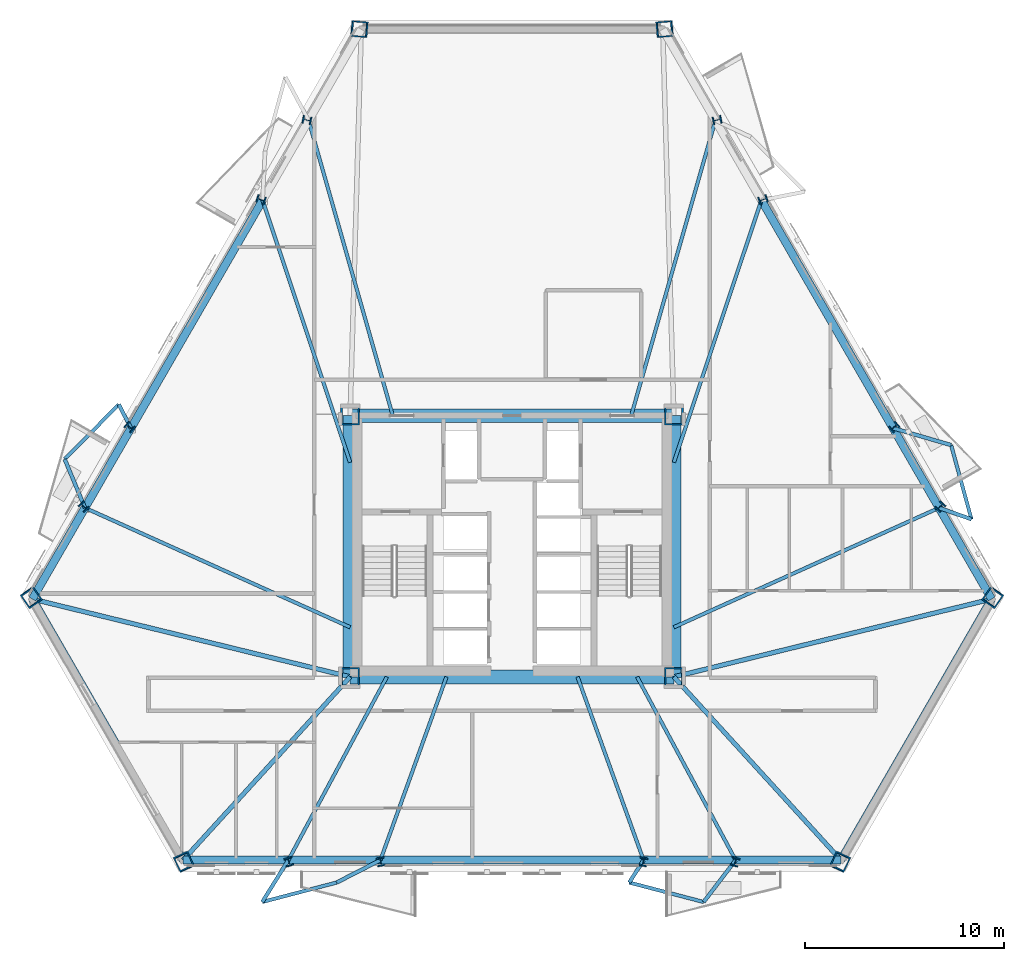
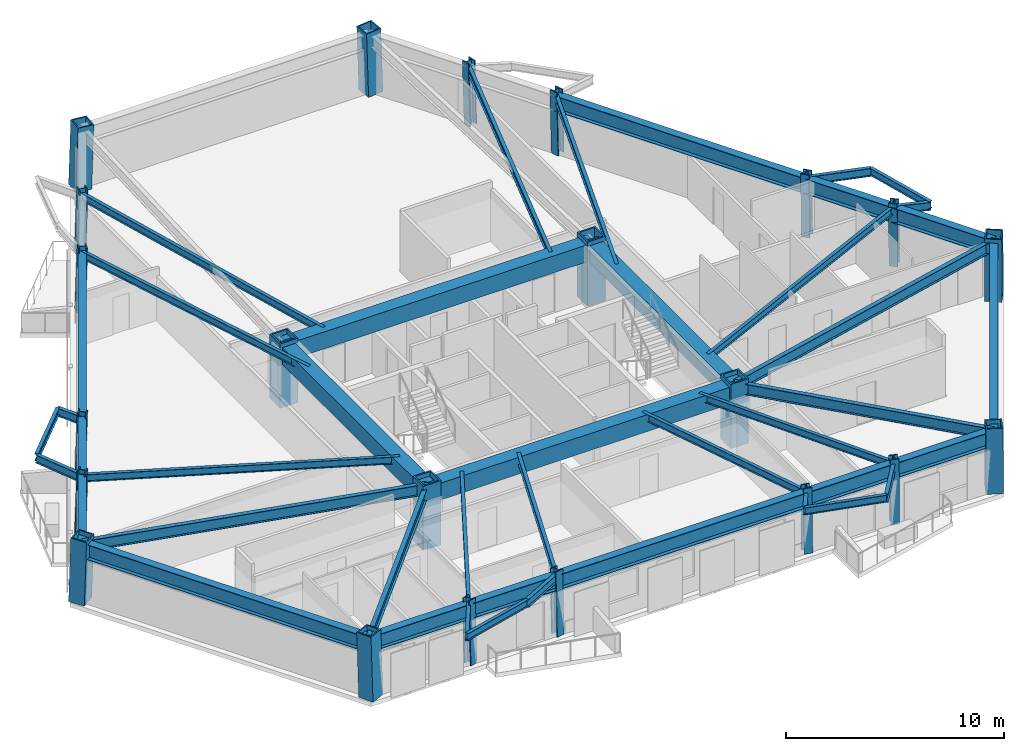
# One storey, part 1 of 13: 43 beams, 22 columns.
"""IFC4 building model written with IfcOpenShell, lengths in metres."""

import ifcopenshell
import ifcopenshell.guid

model = None  # the IFC model being written
_history = None  # IfcOwnerHistory: only IFC2X3 demands one
_inside = {}  # id of a spatial element -> (the spatial element, [elements in it])
_under = {}  # id of a project, library or spatial element -> (it, [spatial elements below it])
_declared = {}  # id of a project -> (the project, [libraries it declares])
_typed = {}  # id of a type object -> (the type object, [elements of that type])
_made_of = {}  # id of a material, layer set ... -> (it, [elements and type objects made of it])


def new_model(schema):
    """Start an empty IFC model of exactly this schema.

    Asked for "IFC4X3", IfcOpenShell would pick the latest addendum, in which some entities
    have other attributes; the version numbers below select the first issue.
    IFC2X3 requires an IfcOwnerHistory on every rooted entity: one is made here for all.
    """
    global model, _history
    if schema == "IFC4X3":
        model = ifcopenshell.file(schema_version=(4, 3, 0, 0))
    else:
        model = ifcopenshell.file(schema=schema)
    _inside.clear()
    _under.clear()
    _declared.clear()
    _typed.clear()
    _made_of.clear()
    _history = None
    if model.schema == "IFC2X3":
        org = make("IfcOrganization", Name="unknown")
        user = make(
            "IfcPersonAndOrganization",
            ThePerson=make("IfcPerson", FamilyName="unknown"),
            TheOrganization=org,
        )
        app = make(
            "IfcApplication",
            ApplicationDeveloper=org,
            Version="unknown",
            ApplicationFullName="unknown",
            ApplicationIdentifier="unknown",
        )
        _history = make(
            "IfcOwnerHistory",
            OwningUser=user,
            OwningApplication=app,
            ChangeAction="ADDED",
            CreationDate=0,
        )
    return model


def make(cls, **values):
    """One entity of the class cls with the attributes given. An attribute that is None is left unset."""
    return model.create_entity(
        cls, **{name: value for name, value in values.items() if value is not None}
    )


def rooted(cls, **values):
    """An entity with a GlobalId (a new one), such as an element, a storey or a relation."""
    return make(cls, GlobalId=ifcopenshell.guid.new(), OwnerHistory=_history, **values)


def si_unit(unit_type, name, prefix=None):
    """IfcSIUnit, for example si_unit("LENGTHUNIT", "METRE", prefix="MILLI")."""
    return make("IfcSIUnit", UnitType=unit_type, Prefix=prefix, Name=name)


def assignment(units):
    """IfcUnitAssignment: the units of a project."""
    return None if units is None else make("IfcUnitAssignment", Units=units)


def point(xyz):
    """IfcCartesianPoint."""
    return None if xyz is None else make("IfcCartesianPoint", Coordinates=xyz)


def direction(xyz):
    """IfcDirection."""
    return None if xyz is None else make("IfcDirection", DirectionRatios=xyz)


def frame(location, z_axis=None, x_axis=None):
    """IfcAxis2Placement3D, a coordinate frame: its origin and axes. An axis left out is left unset."""
    return make(
        "IfcAxis2Placement3D",
        Location=point(location),
        Axis=direction(z_axis),
        RefDirection=direction(x_axis),
    )


def frame_2d(location, x_axis=None):
    """IfcAxis2Placement2D, a coordinate frame in the plane: its origin and x axis."""
    return make(
        "IfcAxis2Placement2D", Location=point(location), RefDirection=direction(x_axis)
    )


def origin():
    """The frame at (0, 0, 0) with its axes left unset."""
    return frame((0.0, 0.0, 0.0))


def origin_2d():
    """The frame at (0, 0) in the plane with its x axis left unset."""
    return frame_2d((0.0, 0.0))


def place(relative_to, where):
    """IfcLocalPlacement: puts the frame where relative to a parent placement (None: the world)."""
    return make(
        "IfcLocalPlacement", PlacementRelTo=relative_to, RelativePlacement=where
    )


def context(
    kind, dimensions, precision=None, world=None, true_north=None, identifier=None
):
    """IfcGeometricRepresentationContext, for example the 3D "Model" context."""
    return make(
        "IfcGeometricRepresentationContext",
        ContextIdentifier=identifier,
        ContextType=kind,
        CoordinateSpaceDimension=dimensions,
        Precision=precision,
        WorldCoordinateSystem=world,
        TrueNorth=true_north,
    )


def subcontext(parent, identifier, kind, view, scale=None):
    """IfcGeometricRepresentationSubContext, for example "Body" below "Model"."""
    return make(
        "IfcGeometricRepresentationSubContext",
        ContextIdentifier=identifier,
        ContextType=kind,
        ParentContext=parent,
        TargetScale=scale,
        TargetView=view,
    )


def project(units=None, contexts=None):
    """IfcProject with its units and contexts."""
    return rooted(
        "IfcProject",
        Name="project",
        RepresentationContexts=contexts,
        UnitsInContext=assignment(units),
    )


def spatial(cls, under=None, at=None, **own):
    """A site, building, storey or space (cls), placed at a placement, below another one or the project."""
    s = rooted(cls, ObjectPlacement=at, **own)
    if under is not None:
        _under.setdefault(under.id(), (under, []))[1].append(s)
    return s


def profile(cls, at=None, kind="AREA", **sizes):
    """A parametric profile (cls). Its sizes go by their IFC names, for example OverallWidth=200.0."""
    return make(cls, ProfileType=kind, Position=at, **sizes)


def rectangle(**sizes):
    """IfcRectangleProfileDef."""
    return profile("IfcRectangleProfileDef", **sizes)


def hollow_rectangle(**sizes):
    """IfcRectangleHollowProfileDef."""
    return profile("IfcRectangleHollowProfileDef", **sizes)


def i_section(**sizes):
    """IfcIShapeProfileDef."""
    return profile("IfcIShapeProfileDef", **sizes)


def extrude(swept, where, along, depth):
    """IfcExtrudedAreaSolid: the profile swept, set in the frame where, extruded along a direction by depth."""
    return make(
        "IfcExtrudedAreaSolid",
        SweptArea=swept,
        Position=where,
        ExtrudedDirection=direction(along),
        Depth=depth,
    )


def shape(context_of_items, identifier, shape_type, items):
    """IfcShapeRepresentation: the items that make up one representation, for example the "Body"."""
    return make(
        "IfcShapeRepresentation",
        ContextOfItems=context_of_items,
        RepresentationIdentifier=identifier,
        RepresentationType=shape_type,
        Items=items,
    )


def material(Name=None, Category=None):
    """IfcMaterial."""
    return make("IfcMaterial", Name=Name, Category=Category)


def material_profile(
    of_material, cross_section, Name=None, Category=None, Priority=None
):
    """IfcMaterialProfile: a cross section and its material."""
    return make(
        "IfcMaterialProfile",
        Name=Name,
        Material=of_material,
        Profile=cross_section,
        Priority=Priority,
        Category=Category,
    )


def profile_set(profiles, Name=None, composite=None):
    """IfcMaterialProfileSet."""
    return make(
        "IfcMaterialProfileSet",
        Name=Name,
        MaterialProfiles=profiles,
        CompositeProfile=composite,
    )


def made_of(thing, what):
    """Note that an element or type object is made of a material, layer set ...; save() writes the relation."""
    if what is not None:
        _made_of.setdefault(what.id(), (what, []))[1].append(thing)
    return thing


def type_object(cls, material=None, **own):
    """A type object (cls), such as IfcWallType, which elements share."""
    return made_of(rooted(cls, **own), material)


def element(
    cls,
    number,
    at=None,
    inside=None,
    cuts=None,
    type_object=None,
    material=None,
    context=None,
    identifier="Body",
    shape_type=None,
    held_by="IfcProductDefinitionShape",
    body=None,
    shapes=None,
    **own,
):
    """One element of the class cls, such as IfcWall. Its Tag is "e" and its number.

    at: its placement. inside: the storey or other place that contains it. cuts: it is an
    opening in that element (IfcRelVoidsElement). A single representation is given by context,
    identifier, shape_type and body (its items); several are given by shapes. held_by: the class
    of the entity that holds the representations. save() writes the other relations.
    """
    e = rooted(cls, Tag="e%d" % number, ObjectPlacement=at, **own)
    if body is not None:
        shapes = [shape(context, identifier, shape_type, body)]
    if shapes is not None:
        e.Representation = make(held_by, Representations=shapes)
    if inside is not None:
        _inside.setdefault(inside.id(), (inside, []))[1].append(e)
    if cuts is not None:
        rooted(
            "IfcRelVoidsElement", RelatingBuildingElement=cuts, RelatedOpeningElement=e
        )
    if type_object is not None:
        _typed.setdefault(type_object.id(), (type_object, []))[1].append(e)
    return made_of(e, material)


def aggregate(whole, parts):
    """IfcRelAggregates: a whole, such as a stair, and the parts it consists of."""
    return rooted("IfcRelAggregates", RelatingObject=whole, RelatedObjects=parts)


def save(model, path):
    """Write the relations noted so far, then the file.

    IfcRelAggregates (storeys below a building ...), IfcRelContainedInSpatialStructure (elements
    in a storey), IfcRelDefinesByType, IfcRelAssociatesMaterial and IfcRelDeclares: one each for
    every whole, place, type object, material and project.
    """
    for whole, parts in _under.values():
        aggregate(whole, parts)
    for where, things in _inside.values():
        rooted(
            "IfcRelContainedInSpatialStructure",
            RelatedElements=things,
            RelatingStructure=where,
        )
    for kind, things in _typed.values():
        rooted("IfcRelDefinesByType", RelatedObjects=things, RelatingType=kind)
    for what, things in _made_of.values():
        rooted("IfcRelAssociatesMaterial", RelatedObjects=things, RelatingMaterial=what)
    for by, libraries in _declared.values():
        rooted("IfcRelDeclares", RelatingContext=by, RelatedDefinitions=libraries)
    model.write(path)


model = new_model("IFC4")

# Units and contexts
model_context = context("Model", 3, precision=1e-05, world=origin(), true_north=direction((0.0, 1.0)))
body_context = subcontext(model_context, "Body", "Model", "MODEL_VIEW")
ifc_project = project(units=[si_unit("LENGTHUNIT", "METRE"), si_unit("AREAUNIT", "SQUARE_METRE"), si_unit("VOLUMEUNIT", "CUBIC_METRE"), si_unit("PLANEANGLEUNIT", "RADIAN"), si_unit("MASSUNIT", "GRAM", prefix="KILO")], contexts=[model_context])

# Site, building, storey
site_placement = place(None, origin())
site = spatial("IfcSite", under=ifc_project, at=site_placement, CompositionType="ELEMENT")
building_placement = place(site_placement, origin())
building = spatial("IfcBuilding", under=site, at=building_placement, Name="Oramaril Tower", CompositionType="ELEMENT")
storey_placement = place(building_placement, frame((0.0, 0.0, 38.10009765625)))
storey = spatial("IfcBuildingStorey", under=building, at=storey_placement, Name="L09", CompositionType="ELEMENT", Elevation=38.10009765625)

# Columns
ifc_material_1 = material(Name="Steel ASTM A572 Gr 50", Category="steel")
ifc_material_profile_1 = material_profile(ifc_material_1, hollow_rectangle(XDim=0.949951171875, YDim=0.949951171875, WallThickness=0.080078125, at=origin_2d()), Name="BOX950X950X80")
ifc_profile_set_1 = profile_set([ifc_material_profile_1], Name="Steel ASTM A572 Gr 50")
column_type_1 = type_object("IfcColumnType", Name="CT-CC2", PredefinedType="COLUMN", material=ifc_profile_set_1)
for number, where, z_axis, x_axis, name in (
    (1, (29.35009765625, 11.0, 0.0), (0.0, 0.0, 1.0), (1.0, 0.0, 0.0), "L09 Core Column CC-1"),
    (2, (45.64990234375, 11.0, 0.0), (0.0, 0.0, 1.0), (1.0, 0.0, 0.0), "L09 Core Column CC-2"),
    (3, (45.64990234375, 24.14990234375, 0.0), (0.0, 0.0, 1.0), (1.0, 0.0, 0.0), "L09 Core Column CC-3"),
    (4, (29.35009765625, 24.14990234375, 0.0), (0.0, 0.0, 1.0), (1.0, 0.0, 0.0), "L09 Core Column CC-4"),
):
    element("IfcColumn", number, at=place(storey_placement, frame(where, z_axis=z_axis, x_axis=x_axis)), inside=storey, type_object=column_type_1, Name=name, PredefinedType="COLUMN", context=body_context, shape_type="SweptSolid", body=[
        extrude(hollow_rectangle(XDim=0.949951171875, YDim=0.949951171875, WallThickness=0.080078125, at=origin_2d()), origin(), (0.0, 0.0, 1.0), 3.599853515625),
    ])
ifc_material_2 = material(Name="Steel ASTM A572 Gr 50", Category="steel")
ifc_material_profile_2 = material_profile(ifc_material_2, hollow_rectangle(XDim=0.800048828125, YDim=0.800048828125, WallThickness=0.06494140625, at=origin_2d()), Name="BOX800X800X65")
ifc_profile_set_2 = profile_set([ifc_material_profile_2], Name="Steel ASTM A572 Gr 50")
column_type_2 = type_object("IfcColumnType", Name="CT-TC3", PredefinedType="COLUMN", material=ifc_profile_set_2)
for number, where, z_axis, x_axis, name in (
    (5, (13.287109375, 15.01416015625, 0.00439453125), (0.017939289639, -0.025889656638, 0.999503830691), (0.821959126475, 0.569546481337, 0.0), "L09 Tube Column TC-01"),
    (6, (20.989013671875, 1.673828125, 0.00439453125), (-0.013454444026, 0.028539729751, 0.999502106932), (-0.904525642996, -0.426419231698, 0.0), "L09 Tube Column TC-02"),
    (7, (54.010986328125, 1.673828125, 0.00439453125), (0.013454444026, 0.028539729751, 0.999502106932), (-0.904525642996, 0.426419231698, 0.0), "L09 Tube Column TC-03"),
    (8, (61.712890625, 15.01416015625, 0.00439453125), (-0.017939289639, -0.025889656638, 0.999503830691), (0.821959126475, -0.569546481337, 0.0), "L09 Tube Column TC-04"),
    (9, (45.2021484375, 43.61181640625, 0.00439453125), (-0.031461639283, -0.002582164779, 0.99950162465), (0.081798397523, -0.996648896133, 0.0), "L09 Tube Column TC-05"),
    (10, (29.7978515625, 43.61181640625, 0.00439453125), (0.031461639283, -0.002582164779, 0.99950162465), (0.081798397523, 0.996648896133, 0.0), "L09 Tube Column TC-06"),
):
    element("IfcColumn", number, at=place(storey_placement, frame(where, z_axis=z_axis, x_axis=x_axis)), inside=storey, type_object=column_type_2, Name=name, PredefinedType="COLUMN", context=body_context, shape_type="SweptSolid", body=[
        extrude(hollow_rectangle(XDim=0.800048828125, YDim=0.800048828125, WallThickness=0.06494140625, at=origin_2d()), origin(), (0.0, 0.0, 1.0), 3.5927734375),
    ])
ifc_material_3 = material(Name="Steel ASTM A572 Gr 50", Category="steel")
ifc_material_profile_3 = material_profile(ifc_material_3, i_section(OverallWidth=0.410888671875, OverallDepth=0.43408203125, WebThickness=0.035888671875, FlangeThickness=0.057373046875, at=origin_2d()), Name="W14X311")
ifc_profile_set_3 = profile_set([ifc_material_profile_3], Name="Steel ASTM A572 Gr 50")
column_type_3 = type_object("IfcColumnType", Name="CT-TF2", PredefinedType="COLUMN", material=ifc_profile_set_3)
column_1_placement = place(storey_placement, frame((26.272705078125, 1.673828125, 0.00439453125), z_axis=(-0.009173928909, 0.028541112163, 0.999550520957), x_axis=(-0.952028561285, -0.306009180413, 0.0)))
element("IfcColumn", 11, at=column_1_placement, inside=storey, type_object=column_type_3, Name="L09 Tube Column TC-07", PredefinedType="COLUMN", context=body_context, shape_type="SweptSolid", body=[
    extrude(i_section(OverallWidth=0.410888671875, OverallDepth=0.43408203125, WebThickness=0.035888671875, FlangeThickness=0.057373046875, at=origin_2d()), origin(), (0.0, 0.0, 1.0), 3.5927734375),
])
for number, where, z_axis, x_axis, name in (
    (12, (30.8955078125, 1.673828125, 0.00439453125), (-0.005368595841, 0.028541901939, 0.99957818004), (-0.98276606587, -0.184853617152, 0.0), "L09 Tube Column TC-08"),
    (13, (44.1044921875, 1.673828125, 0.00439453125), (0.005368595841, 0.028541901939, 0.99957818004), (-0.98276606587, 0.184853617152, 0.0), "L09 Tube Column TC-09"),
):
    element("IfcColumn", number, at=place(storey_placement, frame(where, z_axis=z_axis, x_axis=x_axis)), inside=storey, type_object=column_type_3, Name=name, PredefinedType="COLUMN", context=body_context, shape_type="SweptSolid", body=[
        extrude(i_section(OverallWidth=0.410888671875, OverallDepth=0.43408203125, WebThickness=0.035888671875, FlangeThickness=0.057373046875, at=origin_2d()), origin(), (0.0, 0.0, 1.0), 3.592529296875),
    ])
for number, where, z_axis, x_axis, name in (
    (14, (48.727294921875, 1.673828125, 0.00439453125), (0.009173928909, 0.028541112163, 0.999550520957), (-0.952028561285, 0.306009180413, 0.0), "L09 Tube Column TC-10"),
    (15, (59.0712890625, 19.58984375, 0.00439453125), (-0.020182619695, -0.022221268149, 0.999549337003), (0.740247292999, -0.672334697311, 0.0), "L09 Tube Column TC-11"),
):
    element("IfcColumn", number, at=place(storey_placement, frame(where, z_axis=z_axis, x_axis=x_axis)), inside=storey, type_object=column_type_3, Name=name, PredefinedType="COLUMN", context=body_context, shape_type="SweptSolid", body=[
        extrude(i_section(OverallWidth=0.410888671875, OverallDepth=0.43408203125, WebThickness=0.035888671875, FlangeThickness=0.057373046875, at=origin_2d()), origin(), (0.0, 0.0, 1.0), 3.5927734375),
    ])
for number, where, z_axis, x_axis, name in (
    (16, (56.759765625, 23.593505859375, 0.00439453125), (-0.02201802969, -0.018959970011, 0.999577773815), (0.65252313536, -0.757768802353, 0.0), "L09 Tube Column TC-12"),
    (17, (50.1552734375, 35.03271484375, 0.00439453125), (-0.027386638779, -0.009649882647, 0.999578336991), (0.332330398603, -0.943163032654, 0.0), "L09 Tube Column TC-13"),
):
    element("IfcColumn", number, at=place(storey_placement, frame(where, z_axis=z_axis, x_axis=x_axis)), inside=storey, type_object=column_type_3, Name=name, PredefinedType="COLUMN", context=body_context, shape_type="SweptSolid", body=[
        extrude(i_section(OverallWidth=0.410888671875, OverallDepth=0.43408203125, WebThickness=0.035888671875, FlangeThickness=0.057373046875, at=origin_2d()), origin(), (0.0, 0.0, 1.0), 3.592529296875),
    ])
for number, where, z_axis, x_axis, name in (
    (18, (47.84375, 39.036376953125, 0.00439453125), (-0.029288632021, -0.00631982083, 0.999551017157), (0.210922858505, -0.977502709848, 0.0), "L09 Tube Column TC-14"),
    (19, (27.15625, 39.036376953125, 0.00439453125), (0.029288632021, -0.00631982083, 0.999551017157), (0.210922858505, 0.977502709848, 0.0), "L09 Tube Column TC-15"),
):
    element("IfcColumn", number, at=place(storey_placement, frame(where, z_axis=z_axis, x_axis=x_axis)), inside=storey, type_object=column_type_3, Name=name, PredefinedType="COLUMN", context=body_context, shape_type="SweptSolid", body=[
        extrude(i_section(OverallWidth=0.410888671875, OverallDepth=0.43408203125, WebThickness=0.035888671875, FlangeThickness=0.057373046875, at=origin_2d()), origin(), (0.0, 0.0, 1.0), 3.5927734375),
    ])
for number, where, z_axis, x_axis, name in (
    (20, (24.8447265625, 35.03271484375, 0.00439453125), (0.027386656676, -0.009581931988, 0.999578990183), (0.330246094386, 0.943894865514, 0.0), "L09 Tube Column TC-16"),
    (21, (18.240234375, 23.593505859375, 0.00439453125), (0.022018058009, -0.018892037427, 0.999579059426), (0.651177090509, 0.758925817716, 0.0), "L09 Tube Column TC-17"),
):
    element("IfcColumn", number, at=place(storey_placement, frame(where, z_axis=z_axis, x_axis=x_axis)), inside=storey, type_object=column_type_3, Name=name, PredefinedType="COLUMN", context=body_context, shape_type="SweptSolid", body=[
        extrude(i_section(OverallWidth=0.410888671875, OverallDepth=0.43408203125, WebThickness=0.035888671875, FlangeThickness=0.057373046875, at=origin_2d()), origin(), (0.0, 0.0, 1.0), 3.592529296875),
    ])
column_2_placement = place(storey_placement, frame((15.9287109375, 19.58984375, 0.00439453125), z_axis=(0.020182619695, -0.022221268149, 0.999549337003), x_axis=(0.740247292999, 0.672334697311, 0.0)))
element("IfcColumn", 22, at=column_2_placement, inside=storey, type_object=column_type_3, Name="L09 Tube Column TC-18", PredefinedType="COLUMN", context=body_context, shape_type="SweptSolid", body=[
    extrude(i_section(OverallWidth=0.410888671875, OverallDepth=0.43408203125, WebThickness=0.035888671875, FlangeThickness=0.057373046875, at=origin_2d()), origin(), (0.0, 0.0, 1.0), 3.5927734375),
])

# Beams
ifc_material_4 = material(Name="Steel ASTM A572 Gr 50", Category="steel")
ifc_material_profile_4 = material_profile(ifc_material_4, i_section(OverallWidth=0.19091796875, OverallDepth=0.45703125, WebThickness=0.009033203125, FlangeThickness=0.014404296875, at=origin_2d()), Name="W18X50")
ifc_profile_set_4 = profile_set([ifc_material_profile_4], Name="Steel ASTM A572 Gr 50")
beam_type_1 = type_object("IfcBeamType", Name="BT-BB1", PredefinedType="BEAM", material=ifc_profile_set_4)
beam_1_placement = place(storey_placement, frame((26.23974609375, 1.7763671875, 3.13134765625), z_axis=(-0.528309762713, -0.84905170315, 0.0), x_axis=(0.84905170315, -0.528309762713, 0.0)))
element("IfcBeam", 23, at=beam_1_placement, inside=storey, type_object=beam_type_1, Name="L09 Balcony Column-Framed Cantilever 01.1", PredefinedType="BEAM", context=body_context, shape_type="SweptSolid", body=[
    extrude(i_section(OverallWidth=0.19091796875, OverallDepth=0.45703125, WebThickness=0.009033203125, FlangeThickness=0.014404296875, at=origin_2d()), origin(), (0.0, 0.0, 1.0), 2.48291015625),
])
beam_2_placement = place(storey_placement, frame((30.876220703125, 1.7763671875, 3.13134765625), z_axis=(-0.890167256623, -0.455633904836, 0.0), x_axis=(0.455633904836, -0.890167256623, 0.0)))
element("IfcBeam", 24, at=beam_2_placement, inside=storey, type_object=beam_type_1, Name="L09 Balcony Column-Framed Cantilever 01.2", PredefinedType="BEAM", context=body_context, shape_type="SweptSolid", body=[
    extrude(i_section(OverallWidth=0.19091796875, OverallDepth=0.45703125, WebThickness=0.009033203125, FlangeThickness=0.014404296875, at=origin_2d()), origin(), (0.0, 0.0, 1.0), 2.47607421875),
])
beam_3_placement = place(storey_placement, frame((44.123779296875, 1.7763671875, 3.13134765625), z_axis=(-0.538479200006, -0.842638802312, 0.0), x_axis=(0.842638802312, -0.538479200006, 0.0)))
element("IfcBeam", 25, at=beam_3_placement, inside=storey, type_object=beam_type_1, Name="L09 Balcony Column-Framed Cantilever 02.1", PredefinedType="BEAM", context=body_context, shape_type="SweptSolid", body=[
    extrude(i_section(OverallWidth=0.19091796875, OverallDepth=0.45703125, WebThickness=0.009033203125, FlangeThickness=0.014404296875, at=origin_2d()), origin(), (0.0, 0.0, 1.0), 1.3388671875),
])
beam_4_placement = place(storey_placement, frame((48.76025390625, 1.7763671875, 3.13134765625), z_axis=(-0.607726578106, -0.794146338066, 0.0), x_axis=(0.794146338066, -0.607726578106, 0.0)))
element("IfcBeam", 26, at=beam_4_placement, inside=storey, type_object=beam_type_1, Name="L09 Balcony Column-Framed Cantilever 02.2", PredefinedType="BEAM", context=body_context, shape_type="SweptSolid", body=[
    extrude(i_section(OverallWidth=0.19091796875, OverallDepth=0.45703125, WebThickness=0.009033203125, FlangeThickness=0.014404296875, at=origin_2d()), origin(), (0.0, 0.0, 1.0), 2.654541015625),
])
beam_5_placement = place(storey_placement, frame((58.998779296875, 19.510009765625, 3.13134765625), z_axis=(0.943805542452, -0.330501282958, 0.0), x_axis=(0.330501282958, 0.943805542452, 0.0)))
element("IfcBeam", 27, at=beam_5_placement, inside=storey, type_object=beam_type_1, Name="L09 Balcony Column-Framed Cantilever 03.1", PredefinedType="BEAM", context=body_context, shape_type="SweptSolid", body=[
    extrude(i_section(OverallWidth=0.19091796875, OverallDepth=0.45703125, WebThickness=0.009033203125, FlangeThickness=0.014404296875, at=origin_2d()), origin(), (0.0, 0.0, 1.0), 1.72998046875),
])
beam_6_placement = place(storey_placement, frame((56.6806640625, 23.525390625, 3.13134765625), z_axis=(0.959928246048, -0.280245896382, 0.0), x_axis=(0.280245896382, 0.959928246048, 0.0)))
element("IfcBeam", 28, at=beam_6_placement, inside=storey, type_object=beam_type_1, Name="L09 Balcony Column-Framed Cantilever 03.2", PredefinedType="BEAM", context=body_context, shape_type="SweptSolid", body=[
    extrude(i_section(OverallWidth=0.19091796875, OverallDepth=0.45703125, WebThickness=0.009033203125, FlangeThickness=0.014404296875, at=origin_2d()), origin(), (0.0, 0.0, 1.0), 3.050048828125),
])
beam_7_placement = place(storey_placement, frame((18.3193359375, 23.525634765625, 3.13134765625), z_axis=(-0.460514125503, 0.887652375771, 0.0), x_axis=(-0.887652375771, -0.460514125503, 0.0)))
element("IfcBeam", 29, at=beam_7_placement, inside=storey, type_object=beam_type_1, Name="L09 Balcony Column-Framed Cantilever 06.1", PredefinedType="BEAM", context=body_context, shape_type="SweptSolid", body=[
    extrude(i_section(OverallWidth=0.19091796875, OverallDepth=0.45703125, WebThickness=0.009033203125, FlangeThickness=0.014404296875, at=origin_2d()), origin(), (0.0, 0.0, 1.0), 1.338623046875),
])
beam_8_placement = place(storey_placement, frame((16.001220703125, 19.510009765625, 3.13134765625), z_axis=(-0.38385125716, 0.923394938462, 0.0), x_axis=(-0.923394938462, -0.38385125716, 0.0)))
element("IfcBeam", 30, at=beam_8_placement, inside=storey, type_object=beam_type_1, Name="L09 Balcony Column-Framed Cantilever 06.2", PredefinedType="BEAM", context=body_context, shape_type="SweptSolid", body=[
    extrude(i_section(OverallWidth=0.19091796875, OverallDepth=0.45703125, WebThickness=0.009033203125, FlangeThickness=0.014404296875, at=origin_2d()), origin(), (0.0, 0.0, 1.0), 2.65478515625),
])
ifc_material_5 = material(Name="Concrete C50/60", Category="concrete")
ifc_material_profile_5 = material_profile(ifc_material_5, rectangle(XDim=0.699951171875, YDim=0.949951171875, at=origin_2d()), Name="CB700X950")
ifc_profile_set_5 = profile_set([ifc_material_profile_5], Name="Concrete C50/60")
beam_type_2 = type_object("IfcBeamType", Name="BT-CB1", PredefinedType="BEAM", material=ifc_profile_set_5)
beam_9_placement = place(storey_placement, frame((29.35009765625, 11.0, 2.885009765625), z_axis=(1.0, 0.0, 0.0), x_axis=(0.0, 1.0, 0.0)))
element("IfcBeam", 31, at=beam_9_placement, inside=storey, type_object=beam_type_2, Name="L09 Core Header Beam CB-1", PredefinedType="BEAM", context=body_context, shape_type="SweptSolid", body=[
    extrude(rectangle(XDim=0.699951171875, YDim=0.949951171875, at=origin_2d()), origin(), (0.0, 0.0, 1.0), 16.2998046875),
])
beam_10_placement = place(storey_placement, frame((45.64990234375, 11.0, 2.885009765625), z_axis=(0.0, 1.0, 0.0), x_axis=(-1.0, 0.0, 0.0)))
element("IfcBeam", 32, at=beam_10_placement, inside=storey, type_object=beam_type_2, Name="L09 Core Header Beam CB-2", PredefinedType="BEAM", context=body_context, shape_type="SweptSolid", body=[
    extrude(rectangle(XDim=0.699951171875, YDim=0.949951171875, at=origin_2d()), origin(), (0.0, 0.0, 1.0), 13.14990234375),
])
beam_11_placement = place(storey_placement, frame((45.64990234375, 24.14990234375, 2.885009765625), z_axis=(-1.0, 0.0, 0.0), x_axis=(0.0, -1.0, 0.0)))
element("IfcBeam", 33, at=beam_11_placement, inside=storey, type_object=beam_type_2, Name="L09 Core Header Beam CB-3", PredefinedType="BEAM", context=body_context, shape_type="SweptSolid", body=[
    extrude(rectangle(XDim=0.699951171875, YDim=0.949951171875, at=origin_2d()), origin(), (0.0, 0.0, 1.0), 16.2998046875),
])
beam_12_placement = place(storey_placement, frame((29.35009765625, 24.14990234375, 2.885009765625), z_axis=(0.0, -1.0, 0.0), x_axis=(1.0, 0.0, 0.0)))
element("IfcBeam", 34, at=beam_12_placement, inside=storey, type_object=beam_type_2, Name="L09 Core Header Beam CB-4", PredefinedType="BEAM", context=body_context, shape_type="SweptSolid", body=[
    extrude(rectangle(XDim=0.699951171875, YDim=0.949951171875, at=origin_2d()), origin(), (0.0, 0.0, 1.0), 13.14990234375),
])
ifc_material_6 = material(Name="Steel ASTM A572 Gr 50", Category="steel")
ifc_material_profile_6 = material_profile(ifc_material_6, i_section(OverallWidth=0.22900390625, OverallDepth=0.612060546875, WebThickness=0.011962890625, FlangeThickness=0.01953125, at=origin_2d()), Name="W24X84")
ifc_profile_set_6 = profile_set([ifc_material_profile_6], Name="Steel ASTM A572 Gr 50")
beam_type_3 = type_object("IfcBeamType", Name="BT-FB1", PredefinedType="BEAM", material=ifc_profile_set_6)
beam_13_placement = place(storey_placement, frame((29.35009765625, 11.0, 3.053955078125), z_axis=(-0.971253337195, 0.238048219879, 0.0), x_axis=(-0.238048219879, -0.971253337195, 0.0)))
element("IfcBeam", 35, at=beam_13_placement, inside=storey, type_object=beam_type_3, Name="L09 Radial Primary Beam RB-01", PredefinedType="BEAM", context=body_context, shape_type="SweptSolid", body=[
    extrude(i_section(OverallWidth=0.22900390625, OverallDepth=0.612060546875, WebThickness=0.011962890625, FlangeThickness=0.01953125, at=origin_2d()), origin(), (0.0, 0.0, 1.0), 16.47216796875),
])
for number, where, z_axis, x_axis, name in (
    (36, (29.35009765625, 11.0, 3.053955078125), (-0.673738150542, -0.738970164827, 0.0), (0.738970164827, -0.673738150542, 0.0), "L09 Radial Primary Beam RB-02"),
    (37, (45.64990234375, 11.0, 3.053955078125), (0.673738150542, -0.738970164827, 0.0), (0.738970164827, 0.673738150542, 0.0), "L09 Radial Primary Beam RB-03"),
):
    element("IfcBeam", number, at=place(storey_placement, frame(where, z_axis=z_axis, x_axis=x_axis)), inside=storey, type_object=beam_type_3, Name=name, PredefinedType="BEAM", context=body_context, shape_type="SweptSolid", body=[
        extrude(i_section(OverallWidth=0.22900390625, OverallDepth=0.612060546875, WebThickness=0.011962890625, FlangeThickness=0.01953125, at=origin_2d()), origin(), (0.0, 0.0, 1.0), 12.481689453125),
    ])
beam_14_placement = place(storey_placement, frame((45.64990234375, 11.0, 3.053955078125), z_axis=(0.971253337195, 0.238048219879, 0.0), x_axis=(-0.238048219879, 0.971253337195, 0.0)))
element("IfcBeam", 38, at=beam_14_placement, inside=storey, type_object=beam_type_3, Name="L09 Radial Primary Beam RB-04", PredefinedType="BEAM", context=body_context, shape_type="SweptSolid", body=[
    extrude(i_section(OverallWidth=0.22900390625, OverallDepth=0.612060546875, WebThickness=0.011962890625, FlangeThickness=0.01953125, at=origin_2d()), origin(), (0.0, 0.0, 1.0), 16.47216796875),
])
ifc_material_7 = material(Name="Steel ASTM A572 Gr 50", Category="steel")
ifc_material_profile_7 = material_profile(ifc_material_7, i_section(OverallWidth=0.177978515625, OverallDepth=0.404052734375, WebThickness=0.007568359375, FlangeThickness=0.010986328125, at=origin_2d()), Name="W16X36")
ifc_profile_set_7 = profile_set([ifc_material_profile_7], Name="Steel ASTM A572 Gr 50")
beam_type_4 = type_object("IfcBeamType", Name="BT-SB1", PredefinedType="BEAM", material=ifc_profile_set_7)
beam_15_placement = place(storey_placement, frame((31.199951171875, 11.0, 3.157958984375), z_axis=(-0.473628490549, -0.88072473165, 0.0), x_axis=(0.88072473165, -0.473628490549, 0.0)))
element("IfcBeam", 39, at=beam_15_placement, inside=storey, type_object=beam_type_4, Name="L09 Secondary Floor Beam SB-01", PredefinedType="BEAM", context=body_context, shape_type="SweptSolid", body=[
    extrude(i_section(OverallWidth=0.177978515625, OverallDepth=0.404052734375, WebThickness=0.007568359375, FlangeThickness=0.010986328125, at=origin_2d()), origin(), (0.0, 0.0, 1.0), 10.47265625),
])
for number, where, z_axis, x_axis, name in (
    (40, (34.199951171875, 11.0, 3.157958984375), (-0.339010441076, -0.940782610831, 0.0), (0.940782610831, -0.339010441076, 0.0), "L09 Secondary Floor Beam SB-02"),
    (41, (40.800048828125, 11.0, 3.157958984375), (0.339010441076, -0.940782610831, 0.0), (0.940782610831, 0.339010441076, 0.0), "L09 Secondary Floor Beam SB-03"),
):
    element("IfcBeam", number, at=place(storey_placement, frame(where, z_axis=z_axis, x_axis=x_axis)), inside=storey, type_object=beam_type_4, Name=name, PredefinedType="BEAM", context=body_context, shape_type="SweptSolid", body=[
        extrude(i_section(OverallWidth=0.177978515625, OverallDepth=0.404052734375, WebThickness=0.007568359375, FlangeThickness=0.010986328125, at=origin_2d()), origin(), (0.0, 0.0, 1.0), 9.80419921875),
    ])
beam_16_placement = place(storey_placement, frame((43.800048828125, 11.0, 3.157958984375), z_axis=(0.473628490549, -0.88072473165, 0.0), x_axis=(0.88072473165, 0.473628490549, 0.0)))
element("IfcBeam", 42, at=beam_16_placement, inside=storey, type_object=beam_type_4, Name="L09 Secondary Floor Beam SB-04", PredefinedType="BEAM", context=body_context, shape_type="SweptSolid", body=[
    extrude(i_section(OverallWidth=0.177978515625, OverallDepth=0.404052734375, WebThickness=0.007568359375, FlangeThickness=0.010986328125, at=origin_2d()), origin(), (0.0, 0.0, 1.0), 10.47265625),
])
beam_17_placement = place(storey_placement, frame((45.64990234375, 13.5, 3.157958984375), z_axis=(0.911844414638, 0.410535946653, 0.0), x_axis=(-0.410535946653, 0.911844414638, 0.0)))
element("IfcBeam", 43, at=beam_17_placement, inside=storey, type_object=beam_type_4, Name="L09 Secondary Floor Beam SB-05", PredefinedType="BEAM", context=body_context, shape_type="SweptSolid", body=[
    extrude(i_section(OverallWidth=0.177978515625, OverallDepth=0.404052734375, WebThickness=0.007568359375, FlangeThickness=0.010986328125, at=origin_2d()), origin(), (0.0, 0.0, 1.0), 14.639404296875),
])
beam_18_placement = place(storey_placement, frame((45.64990234375, 21.800048828125, 3.157958984375), z_axis=(0.316722519696, 0.948518236787, 0.0), x_axis=(-0.948518236787, 0.316722519696, 0.0)))
element("IfcBeam", 44, at=beam_18_placement, inside=storey, type_object=beam_type_4, Name="L09 Secondary Floor Beam SB-06", PredefinedType="BEAM", context=body_context, shape_type="SweptSolid", body=[
    extrude(i_section(OverallWidth=0.177978515625, OverallDepth=0.404052734375, WebThickness=0.007568359375, FlangeThickness=0.010986328125, at=origin_2d()), origin(), (0.0, 0.0, 1.0), 13.914306640625),
])
for number, where, z_axis, x_axis, name in (
    (45, (43.5, 24.14990234375, 3.157958984375), (0.274226660847, 0.961665086441, 0.0), (-0.961665086441, 0.274226660847, 0.0), "L09 Secondary Floor Beam SB-07"),
    (46, (31.5, 24.14990234375, 3.157958984375), (-0.274226660847, 0.961665086441, 0.0), (-0.961665086441, -0.274226660847, 0.0), "L09 Secondary Floor Beam SB-08"),
):
    element("IfcBeam", number, at=place(storey_placement, frame(where, z_axis=z_axis, x_axis=x_axis)), inside=storey, type_object=beam_type_4, Name=name, PredefinedType="BEAM", context=body_context, shape_type="SweptSolid", body=[
        extrude(i_section(OverallWidth=0.177978515625, OverallDepth=0.404052734375, WebThickness=0.007568359375, FlangeThickness=0.010986328125, at=origin_2d()), origin(), (0.0, 0.0, 1.0), 15.456298828125),
    ])
beam_19_placement = place(storey_placement, frame((29.35009765625, 21.800048828125, 3.157958984375), z_axis=(-0.316717248666, 0.948519996836, 0.0), x_axis=(-0.948519996836, -0.316717248666, 0.0)))
element("IfcBeam", 47, at=beam_19_placement, inside=storey, type_object=beam_type_4, Name="L09 Secondary Floor Beam SB-09", PredefinedType="BEAM", context=body_context, shape_type="SweptSolid", body=[
    extrude(i_section(OverallWidth=0.177978515625, OverallDepth=0.404052734375, WebThickness=0.007568359375, FlangeThickness=0.010986328125, at=origin_2d()), origin(), (0.0, 0.0, 1.0), 13.91455078125),
])
beam_20_placement = place(storey_placement, frame((29.35009765625, 13.5, 3.157958984375), z_axis=(-0.911844414638, 0.410535946653, 0.0), x_axis=(-0.410535946653, -0.911844414638, 0.0)))
element("IfcBeam", 48, at=beam_20_placement, inside=storey, type_object=beam_type_4, Name="L09 Secondary Floor Beam SB-10", PredefinedType="BEAM", context=body_context, shape_type="SweptSolid", body=[
    extrude(i_section(OverallWidth=0.177978515625, OverallDepth=0.404052734375, WebThickness=0.007568359375, FlangeThickness=0.010986328125, at=origin_2d()), origin(), (0.0, 0.0, 1.0), 14.639404296875),
])
for number, where, z_axis, x_axis, name in (
    (49, (24.927978515625, -0.331787109375, 3.157958984375), (0.967411967632, 0.253207592467, 0.0), (-0.253207592467, 0.967411967632, 0.0), "L09 Balcony Edge Tie Beam 01"),
    (50, (43.40283203125, 0.648193359375, 3.157958984375), (0.967411967632, -0.253207592467, 0.0), (0.253207592467, 0.967411967632, 0.0), "L09 Balcony Edge Tie Beam 02"),
):
    element("IfcBeam", number, at=place(storey_placement, frame(where, z_axis=z_axis, x_axis=x_axis)), inside=storey, type_object=beam_type_4, Name=name, PredefinedType="BEAM", context=body_context, shape_type="SweptSolid", body=[
        extrude(i_section(OverallWidth=0.177978515625, OverallDepth=0.404052734375, WebThickness=0.007568359375, FlangeThickness=0.010986328125, at=origin_2d()), origin(), (0.0, 0.0, 1.0), 3.870361328125),
    ])
for number, where, z_axis, x_axis, name in (
    (51, (60.631591796875, 18.938232421875, 3.157958984375), (-0.264382243015, 0.964417974521, 0.0), (-0.964417974521, -0.264382243015, 0.0), "L09 Balcony Edge Tie Beam 03"),
    (52, (17.702880859375, 24.7138671875, 3.157958984375), (-0.702994511648, -0.71119527318, 0.0), (0.71119527318, -0.702994511648, 0.0), "L09 Balcony Edge Tie Beam 06"),
):
    element("IfcBeam", number, at=place(storey_placement, frame(where, z_axis=z_axis, x_axis=x_axis)), inside=storey, type_object=beam_type_4, Name=name, PredefinedType="BEAM", context=body_context, shape_type="SweptSolid", body=[
        extrude(i_section(OverallWidth=0.177978515625, OverallDepth=0.404052734375, WebThickness=0.007568359375, FlangeThickness=0.010986328125, at=origin_2d()), origin(), (0.0, 0.0, 1.0), 3.8701171875),
    ])
ifc_material_8 = material(Name="Steel ASTM A572 Gr 50", Category="steel")
ifc_material_profile_8 = material_profile(ifc_material_8, i_section(OverallWidth=0.40087890625, OverallDepth=0.85595703125, WebThickness=0.018310546875, FlangeThickness=0.029296875, at=origin_2d()), Name="W33X201")
ifc_profile_set_8 = profile_set([ifc_material_profile_8], Name="Steel ASTM A572 Gr 50")
beam_type_5 = type_object("IfcBeamType", Name="BT-SP1", PredefinedType="SPANDREL", material=ifc_profile_set_8)
beam_21_placement = place(storey_placement, frame((13.3515625, 14.921142578125, 2.931884765625), z_axis=(0.499998602503, -0.866026210628, 0.0), x_axis=(0.866026210628, 0.499998602503, 0.0)))
element("IfcBeam", 53, at=beam_21_placement, inside=storey, type_object=beam_type_5, Name="L09 Perimeter Spandrel 01", PredefinedType="SPANDREL", context=body_context, shape_type="SweptSolid", body=[
    extrude(i_section(OverallWidth=0.40087890625, OverallDepth=0.85595703125, WebThickness=0.018310546875, FlangeThickness=0.029296875, at=origin_2d()), origin(), (0.0, 0.0, 1.0), 15.17822265625),
])
beam_22_placement = place(storey_placement, frame((20.940673828125, 1.7763671875, 2.931884765625), z_axis=(1.0, 0.0, 0.0), x_axis=(0.0, 1.0, 0.0)))
element("IfcBeam", 54, at=beam_22_placement, inside=storey, type_object=beam_type_5, Name="L09 Perimeter Spandrel 02", PredefinedType="SPANDREL", context=body_context, shape_type="SweptSolid", body=[
    extrude(i_section(OverallWidth=0.40087890625, OverallDepth=0.85595703125, WebThickness=0.018310546875, FlangeThickness=0.029296875, at=origin_2d()), origin(), (0.0, 0.0, 1.0), 5.299072265625),
])
beam_23_placement = place(storey_placement, frame((26.23974609375, 1.7763671875, 2.931884765625), z_axis=(1.0, 0.0, 0.0), x_axis=(0.0, 1.0, 0.0)))
element("IfcBeam", 55, at=beam_23_placement, inside=storey, type_object=beam_type_5, Name="L09 Perimeter Spandrel 03", PredefinedType="SPANDREL", context=body_context, shape_type="SweptSolid", body=[
    extrude(i_section(OverallWidth=0.40087890625, OverallDepth=0.85595703125, WebThickness=0.018310546875, FlangeThickness=0.029296875, at=origin_2d()), origin(), (0.0, 0.0, 1.0), 4.636474609375),
])
beam_24_placement = place(storey_placement, frame((30.876220703125, 1.7763671875, 2.931884765625), z_axis=(1.0, 0.0, 0.0), x_axis=(0.0, 1.0, 0.0)))
element("IfcBeam", 56, at=beam_24_placement, inside=storey, type_object=beam_type_5, Name="L09 Perimeter Spandrel 04", PredefinedType="SPANDREL", context=body_context, shape_type="SweptSolid", body=[
    extrude(i_section(OverallWidth=0.40087890625, OverallDepth=0.85595703125, WebThickness=0.018310546875, FlangeThickness=0.029296875, at=origin_2d()), origin(), (0.0, 0.0, 1.0), 13.24755859375),
])
beam_25_placement = place(storey_placement, frame((44.123779296875, 1.7763671875, 2.931884765625), z_axis=(1.0, 0.0, 0.0), x_axis=(0.0, 1.0, 0.0)))
element("IfcBeam", 57, at=beam_25_placement, inside=storey, type_object=beam_type_5, Name="L09 Perimeter Spandrel 05", PredefinedType="SPANDREL", context=body_context, shape_type="SweptSolid", body=[
    extrude(i_section(OverallWidth=0.40087890625, OverallDepth=0.85595703125, WebThickness=0.018310546875, FlangeThickness=0.029296875, at=origin_2d()), origin(), (0.0, 0.0, 1.0), 4.636474609375),
])
beam_26_placement = place(storey_placement, frame((48.76025390625, 1.7763671875, 2.931884765625), z_axis=(1.0, 0.0, 0.0), x_axis=(0.0, 1.0, 0.0)))
element("IfcBeam", 58, at=beam_26_placement, inside=storey, type_object=beam_type_5, Name="L09 Perimeter Spandrel 06", PredefinedType="SPANDREL", context=body_context, shape_type="SweptSolid", body=[
    extrude(i_section(OverallWidth=0.40087890625, OverallDepth=0.85595703125, WebThickness=0.018310546875, FlangeThickness=0.029296875, at=origin_2d()), origin(), (0.0, 0.0, 1.0), 5.299072265625),
])
beam_27_placement = place(storey_placement, frame((54.059326171875, 1.7763671875, 2.931884765625), z_axis=(0.499998602503, 0.866026210628, 0.0), x_axis=(-0.866026210628, 0.499998602503, 0.0)))
element("IfcBeam", 59, at=beam_27_placement, inside=storey, type_object=beam_type_5, Name="L09 Perimeter Spandrel 07", PredefinedType="SPANDREL", context=body_context, shape_type="SweptSolid", body=[
    extrude(i_section(OverallWidth=0.40087890625, OverallDepth=0.85595703125, WebThickness=0.018310546875, FlangeThickness=0.029296875, at=origin_2d()), origin(), (0.0, 0.0, 1.0), 15.17822265625),
])
beam_28_placement = place(storey_placement, frame((61.6484375, 14.921142578125, 2.931884765625), z_axis=(-0.500038851462, 0.86600297172, 0.0), x_axis=(-0.86600297172, -0.500038851462, 0.0)))
element("IfcBeam", 60, at=beam_28_placement, inside=storey, type_object=beam_type_5, Name="L09 Perimeter Spandrel 08", PredefinedType="SPANDREL", context=body_context, shape_type="SweptSolid", body=[
    extrude(i_section(OverallWidth=0.40087890625, OverallDepth=0.85595703125, WebThickness=0.018310546875, FlangeThickness=0.029296875, at=origin_2d()), origin(), (0.0, 0.0, 1.0), 5.298828125),
])
beam_29_placement = place(storey_placement, frame((58.998779296875, 19.510009765625, 2.931884765625), z_axis=(-0.499973149805, 0.866040905197, 0.0), x_axis=(-0.866040905197, -0.499973149805, 0.0)))
element("IfcBeam", 61, at=beam_29_placement, inside=storey, type_object=beam_type_5, Name="L09 Perimeter Spandrel 09", PredefinedType="SPANDREL", context=body_context, shape_type="SweptSolid", body=[
    extrude(i_section(OverallWidth=0.40087890625, OverallDepth=0.85595703125, WebThickness=0.018310546875, FlangeThickness=0.029296875, at=origin_2d()), origin(), (0.0, 0.0, 1.0), 4.636474609375),
])
for number, where, z_axis, x_axis, name in (
    (62, (56.6806640625, 23.525390625, 2.931884765625), (-0.500002158289, 0.866024157692, 0.0), (-0.866024157692, -0.500002158289, 0.0), "L09 Perimeter Spandrel 10"),
    (63, (24.943115234375, 34.998291015625, 2.931884765625), (-0.500002158289, -0.866024157692, 0.0), (0.866024157692, -0.500002158289, 0.0), "L09 Perimeter Spandrel 16"),
):
    element("IfcBeam", number, at=place(storey_placement, frame(where, z_axis=z_axis, x_axis=x_axis)), inside=storey, type_object=beam_type_5, Name=name, PredefinedType="SPANDREL", context=body_context, shape_type="SweptSolid", body=[
        extrude(i_section(OverallWidth=0.40087890625, OverallDepth=0.85595703125, WebThickness=0.018310546875, FlangeThickness=0.029296875, at=origin_2d()), origin(), (0.0, 0.0, 1.0), 13.24755859375),
    ])
beam_30_placement = place(storey_placement, frame((18.3193359375, 23.525634765625, 2.931884765625), z_axis=(-0.499950350569, -0.866054066999, 0.0), x_axis=(0.866054066999, -0.499950350569, 0.0)))
element("IfcBeam", 64, at=beam_30_placement, inside=storey, type_object=beam_type_5, Name="L09 Perimeter Spandrel 17", PredefinedType="SPANDREL", context=body_context, shape_type="SweptSolid", body=[
    extrude(i_section(OverallWidth=0.40087890625, OverallDepth=0.85595703125, WebThickness=0.018310546875, FlangeThickness=0.029296875, at=origin_2d()), origin(), (0.0, 0.0, 1.0), 4.63671875),
])
beam_31_placement = place(storey_placement, frame((16.001220703125, 19.510009765625, 2.931884765625), z_axis=(-0.500038851462, -0.86600297172, 0.0), x_axis=(0.86600297172, -0.500038851462, 0.0)))
element("IfcBeam", 65, at=beam_31_placement, inside=storey, type_object=beam_type_5, Name="L09 Perimeter Spandrel 18", PredefinedType="SPANDREL", context=body_context, shape_type="SweptSolid", body=[
    extrude(i_section(OverallWidth=0.40087890625, OverallDepth=0.85595703125, WebThickness=0.018310546875, FlangeThickness=0.029296875, at=origin_2d()), origin(), (0.0, 0.0, 1.0), 5.298828125),
])

save(model, "model.ifc")
